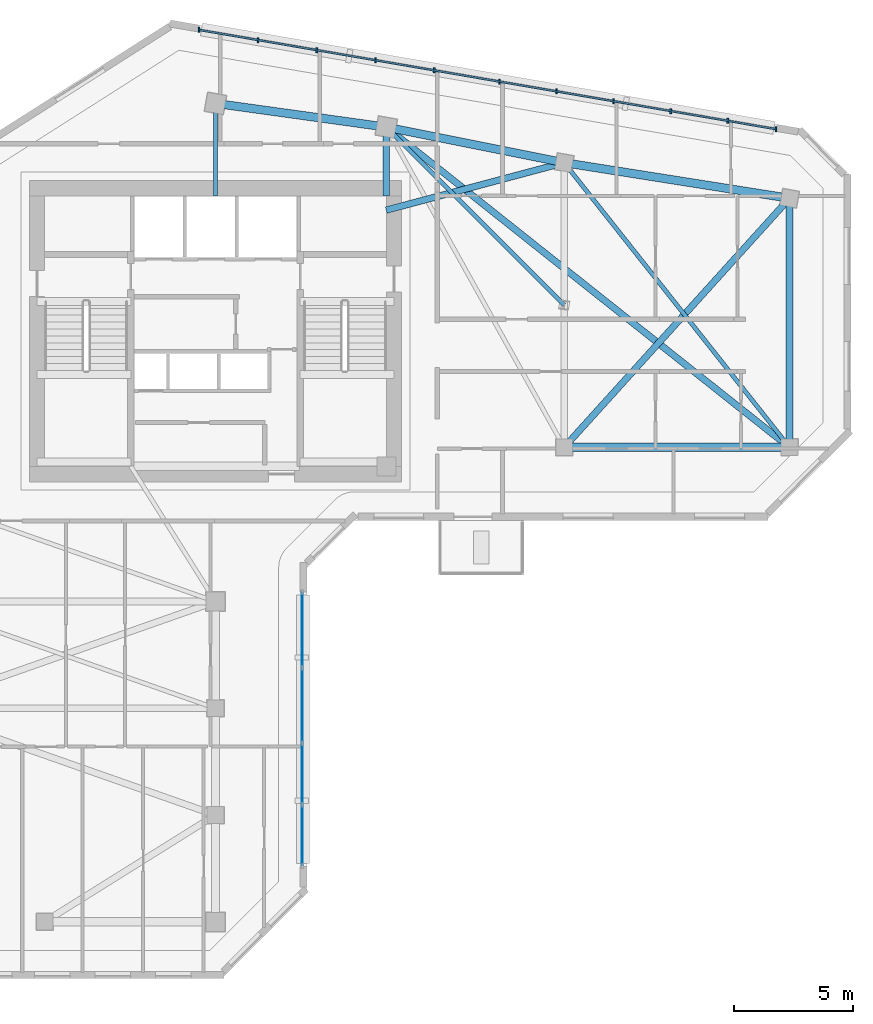
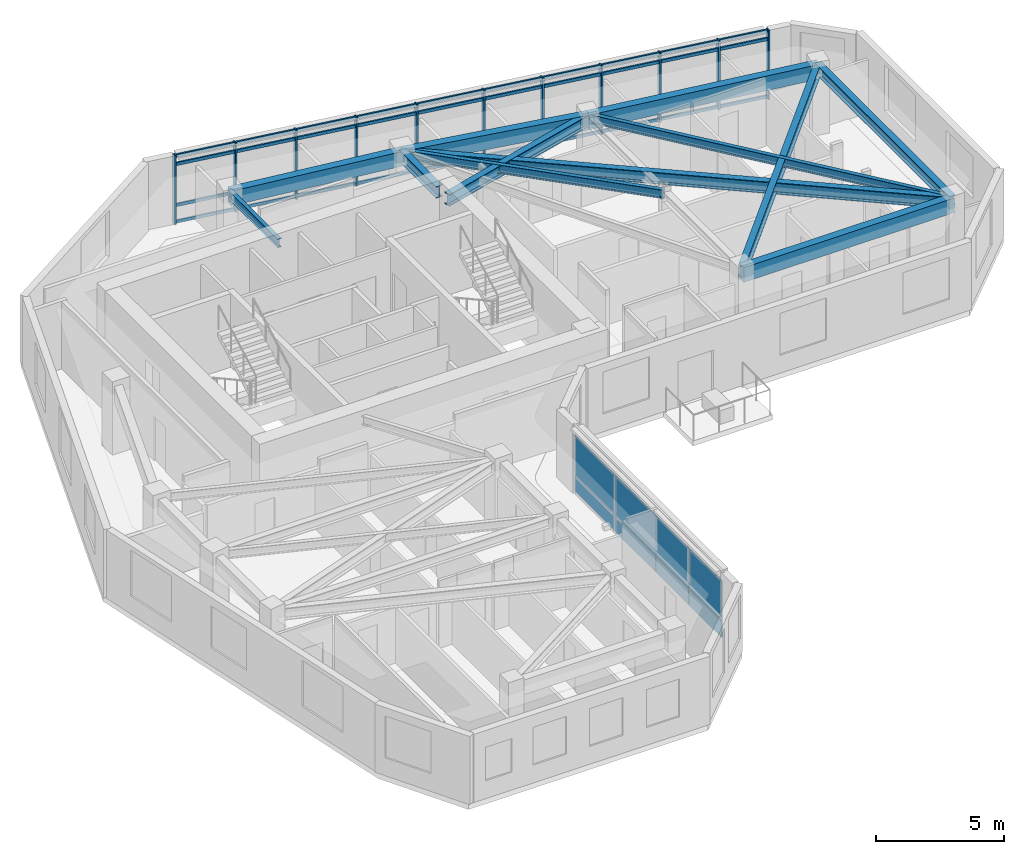
# One storey, part 3 of 11: 15 members, 12 beams, 8 plates, 2 elements without a shape of their own.
"""IFC4 building model written with IfcOpenShell, lengths in metres."""

from ifc_helpers import new_model, si_unit, direction, frame, frame_2d, origin, origin_2d, place, context, subcontext, project, spatial, rectangle, i_section, extrude, source, transform, mapped, material, layer, layer_set, material_profile, profile_set, type_object, element, aggregate, save


model = new_model("IFC4")

# Units and contexts
model_context = context("Model", 3, precision=1e-05, world=origin(), true_north=direction((0.0, 1.0)))
body_context = subcontext(model_context, "Body", "Model", "MODEL_VIEW")
ifc_project = project(units=[si_unit("LENGTHUNIT", "METRE"), si_unit("AREAUNIT", "SQUARE_METRE"), si_unit("VOLUMEUNIT", "CUBIC_METRE"), si_unit("PLANEANGLEUNIT", "RADIAN"), si_unit("MASSUNIT", "GRAM", prefix="KILO")], contexts=[model_context])

# Site, building, storey
site_placement = place(None, origin())
site = spatial("IfcSite", under=ifc_project, at=site_placement, CompositionType="ELEMENT")
building_placement = place(site_placement, origin())
building = spatial("IfcBuilding", under=site, at=building_placement, Name="Calvemar Wedge Station Tower", CompositionType="ELEMENT")
storey_placement = place(building_placement, frame((0.0, 0.0, 183.39990234375)))
storey = spatial("IfcBuildingStorey", under=building, at=storey_placement, Name="L45", CompositionType="ELEMENT", Elevation=183.39990234375)

# Beams
ifc_material_1 = material(Name="Structural steel ASTM A572 Grade 50", Category="steel")
ifc_material_profile_1 = material_profile(ifc_material_1, i_section(OverallWidth=0.279052734375, OverallDepth=0.553955078125, WebThickness=0.017578125, FlangeThickness=0.029541015625, FilletRadius=0.014892578125, at=origin_2d()), Name="W530x196")
ifc_profile_set_1 = profile_set([ifc_material_profile_1], Name="Structural steel ASTM A572 Grade 50")
beam_type_1 = type_object("IfcBeamType", Name="BM-SB3-W530H", PredefinedType="BEAM", material=ifc_profile_set_1)
shared_shape_1 = source(origin(), body_context, "Body", "SweptSolid", [
    extrude(i_section(OverallWidth=0.279052734375, OverallDepth=0.553955078125, WebThickness=0.017578125, FlangeThickness=0.029541015625, FilletRadius=0.014892578125, at=origin_2d()), origin(), (0.0, 0.0, 1.0), 21.708251953125),
])
beam_1_placement = place(storey_placement, frame((31.0, 48.5, 2.97314453125), z_axis=(0.783110847498, -0.621882143602, 0.0), x_axis=(0.621882143602, 0.783110847498, 0.0)))
element("IfcBeam", 1, at=beam_1_placement, inside=storey, type_object=beam_type_1, Name="Storey L45 Floor Beam T-N2-T-NL3", PredefinedType="BEAM", context=body_context, shape_type="MappedRepresentation", body=[
    mapped(shared_shape_1, transform((0.0, 0.0, 0.0), scale=1.0)),
])
ifc_material_profile_2 = material_profile(ifc_material_1, i_section(OverallWidth=0.177978515625, OverallDepth=0.406982421875, WebThickness=0.0078125, FlangeThickness=0.0126953125, FilletRadius=0.010009765625, at=origin_2d()), Name="W410x60")
ifc_profile_set_2 = profile_set([ifc_material_profile_2], Name="Structural steel ASTM A572 Grade 50")
beam_type_2 = type_object("IfcBeamType", Name="BM-J3-W410", PredefinedType="JOIST", material=ifc_profile_set_2)
shared_shape_2 = source(origin(), body_context, "Body", "SweptSolid", [
    extrude(i_section(OverallWidth=0.177978515625, OverallDepth=0.406982421875, WebThickness=0.0078125, FlangeThickness=0.0126953125, FilletRadius=0.010009765625, at=origin_2d()), origin(), (0.0, 0.0, 1.0), 15.30517578125),
])
beam_2_placement = place(storey_placement, frame((38.5, 47.0, 3.046630859375), z_axis=(0.620702944366, -0.784045824462, 0.0), x_axis=(0.784045824462, 0.620702944366, 0.0)))
element("IfcBeam", 2, at=beam_2_placement, inside=storey, type_object=beam_type_2, Name="Storey L45 Floor Beam T-NU3-T-NL3", PredefinedType="JOIST", context=body_context, shape_type="MappedRepresentation", body=[
    mapped(shared_shape_2, transform((0.0, 0.0, 0.0), scale=1.0)),
])
shared_shape_3 = source(origin(), body_context, "Body", "SweptSolid", [
    extrude(i_section(OverallWidth=0.279052734375, OverallDepth=0.553955078125, WebThickness=0.017578125, FlangeThickness=0.029541015625, FilletRadius=0.014892578125, at=origin_2d()), origin(), (0.0, 0.0, 1.0), 14.159912109375),
])
beam_3_placement = place(storey_placement, frame((38.5, 35.0, 2.97314453125), z_axis=(0.670913323969, 0.741535779124, 0.0), x_axis=(-0.741535779124, 0.670913323969, 0.0)))
element("IfcBeam", 3, at=beam_3_placement, inside=storey, type_object=beam_type_1, Name="Storey L45 Floor Beam T-NL2-T-NU4", PredefinedType="BEAM", context=body_context, shape_type="MappedRepresentation", body=[
    mapped(shared_shape_3, transform((0.0, 0.0, 0.0), scale=1.0)),
])
shared_shape_4 = source(origin(), body_context, "Body", "SweptSolid", [
    extrude(i_section(OverallWidth=0.279052734375, OverallDepth=0.553955078125, WebThickness=0.017578125, FlangeThickness=0.029541015625, FilletRadius=0.014892578125, at=origin_2d()), origin(), (0.0, 0.0, 1.0), 7.76220703125),
])
beam_4_placement = place(storey_placement, frame((31.0, 45.0, 2.97314453125), z_axis=(0.966234939601, 0.25766265056, 0.0), x_axis=(-0.25766265056, 0.966234939601, 0.0)))
element("IfcBeam", 4, at=beam_4_placement, inside=storey, type_object=beam_type_1, Name="Storey L45 Core-to-Column Joist CJ-E2", PredefinedType="BEAM", context=body_context, shape_type="MappedRepresentation", body=[
    mapped(shared_shape_4, transform((0.0, 0.0, 0.0), scale=1.0)),
])
shared_shape_5 = source(origin(), body_context, "Body", "SweptSolid", [
    extrude(i_section(OverallWidth=0.177978515625, OverallDepth=0.406982421875, WebThickness=0.0078125, FlangeThickness=0.0126953125, FilletRadius=0.010009765625, at=origin_2d()), origin(), (0.0, 0.0, 1.0), 3.89990234375),
])
beam_5_placement = place(storey_placement, frame((23.800048828125, 45.60009765625, 3.046630859375), z_axis=(0.0, 1.0, 0.0), x_axis=(-1.0, 0.0, 0.0)))
element("IfcBeam", 5, at=beam_5_placement, inside=storey, type_object=beam_type_2, Name="Storey L45 Core-to-Column Joist CJ-N1", PredefinedType="JOIST", context=body_context, shape_type="MappedRepresentation", body=[
    mapped(shared_shape_5, transform((0.0, 0.0, 0.0), scale=1.0)),
])
shared_shape_6 = source(origin(), body_context, "Body", "SweptSolid", [
    extrude(i_section(OverallWidth=0.279052734375, OverallDepth=0.553955078125, WebThickness=0.017578125, FlangeThickness=0.029541015625, FilletRadius=0.014892578125, at=origin_2d()), origin(), (0.0, 0.0, 1.0), 2.89990234375),
])
beam_6_placement = place(storey_placement, frame((31.0, 45.60009765625, 2.97314453125), z_axis=(0.0, 1.0, 0.0), x_axis=(-1.0, 0.0, 0.0)))
element("IfcBeam", 6, at=beam_6_placement, inside=storey, type_object=beam_type_1, Name="Storey L45 Core-to-Column Joist CJ-N2", PredefinedType="BEAM", context=body_context, shape_type="MappedRepresentation", body=[
    mapped(shared_shape_6, transform((0.0, 0.0, 0.0), scale=1.0)),
])
shared_shape_7 = source(origin(), body_context, "Body", "SweptSolid", [
    extrude(i_section(OverallWidth=0.177978515625, OverallDepth=0.406982421875, WebThickness=0.0078125, FlangeThickness=0.0126953125, FilletRadius=0.010009765625, at=origin_2d()), origin(), (0.0, 0.0, 1.0), 10.606689453125),
])
beam_7_placement = place(storey_placement, frame((38.5, 41.0, 3.046630859375), z_axis=(-0.707106781187, 0.707106781187, 0.0), x_axis=(-0.707106781187, -0.707106781187, 0.0)))
element("IfcBeam", 7, at=beam_7_placement, inside=storey, type_object=beam_type_2, Name="Storey L45 Floor Beam T-NTIP-B-T-N2", PredefinedType="JOIST", context=body_context, shape_type="MappedRepresentation", body=[
    mapped(shared_shape_7, transform((0.0, 0.0, 0.0), scale=1.0)),
])
ifc_material_2 = material(Name="Concrete C50", Category="concrete")
ifc_material_profile_3 = material_profile(ifc_material_2, rectangle(XDim=0.35009765625, YDim=0.699951171875, at=origin_2d()), Name="RC350x700")
ifc_profile_set_3 = profile_set([ifc_material_profile_3], Name="Concrete C50")
beam_type_3 = type_object("IfcBeamType", Name="BM-SP2-700", PredefinedType="SPANDREL", material=ifc_profile_set_3)
shared_shape_8 = source(origin(), body_context, "Body", "SweptSolid", [
    extrude(rectangle(XDim=0.35009765625, YDim=0.699951171875, at=origin_2d()), origin(), (0.0, 0.0, 1.0), 7.26904296875),
])
beam_8_placement = place(storey_placement, frame((23.800048828125, 49.5, 2.900146484375), z_axis=(0.990492146053, -0.13756928657, 0.0), x_axis=(0.13756928657, 0.990492146053, 0.0)))
element("IfcBeam", 8, at=beam_8_placement, inside=storey, type_object=beam_type_3, Name="Storey L45 Spandrel T-N1-T-N2", PredefinedType="SPANDREL", context=body_context, shape_type="MappedRepresentation", body=[
    mapped(shared_shape_8, transform((0.0, 0.0, 0.0), scale=1.0)),
])
shared_shape_9 = source(origin(), body_context, "Body", "SweptSolid", [
    extrude(rectangle(XDim=0.35009765625, YDim=0.699951171875, at=origin_2d()), origin(), (0.0, 0.0, 1.0), 7.6484375),
])
beam_9_placement = place(storey_placement, frame((31.0, 48.5, 2.900146484375), z_axis=(0.980580675691, -0.196116135138, 0.0), x_axis=(0.196116135138, 0.980580675691, 0.0)))
element("IfcBeam", 9, at=beam_9_placement, inside=storey, type_object=beam_type_3, Name="Storey L45 Spandrel T-N2-T-NU3", PredefinedType="SPANDREL", context=body_context, shape_type="MappedRepresentation", body=[
    mapped(shared_shape_9, transform((0.0, 0.0, 0.0), scale=1.0)),
])
shared_shape_10 = source(origin(), body_context, "Body", "SweptSolid", [
    extrude(rectangle(XDim=0.35009765625, YDim=0.699951171875, at=origin_2d()), origin(), (0.0, 0.0, 1.0), 9.61767578125),
])
beam_10_placement = place(storey_placement, frame((38.5, 47.0, 2.900146484375), z_axis=(0.987762965329, -0.155962573473, 0.0), x_axis=(0.155962573473, 0.987762965329, 0.0)))
element("IfcBeam", 10, at=beam_10_placement, inside=storey, type_object=beam_type_3, Name="Storey L45 Spandrel T-NU3-T-NU4", PredefinedType="SPANDREL", context=body_context, shape_type="MappedRepresentation", body=[
    mapped(shared_shape_10, transform((0.0, 0.0, 0.0), scale=1.0)),
])
shared_shape_11 = source(origin(), body_context, "Body", "SweptSolid", [
    extrude(rectangle(XDim=0.35009765625, YDim=0.699951171875, at=origin_2d()), origin(), (0.0, 0.0, 1.0), 9.5),
])
beam_11_placement = place(storey_placement, frame((38.5, 35.0, 2.900146484375), z_axis=(1.0, 0.0, 0.0), x_axis=(0.0, 1.0, 0.0)))
element("IfcBeam", 11, at=beam_11_placement, inside=storey, type_object=beam_type_3, Name="Storey L45 Spandrel T-NL2-T-NL3", PredefinedType="SPANDREL", context=body_context, shape_type="MappedRepresentation", body=[
    mapped(shared_shape_11, transform((0.0, 0.0, 0.0), scale=1.0)),
])
ifc_material_profile_4 = material_profile(ifc_material_1, i_section(OverallWidth=0.283935546875, OverallDepth=0.47607421875, WebThickness=0.014892578125, FlangeThickness=0.02392578125, FilletRadius=0.014892578125, at=origin_2d()), Name="W460x158")
ifc_profile_set_4 = profile_set([ifc_material_profile_4], Name="Structural steel ASTM A572 Grade 50")
beam_type_4 = type_object("IfcBeamType", Name="BM-SB5-W460H", PredefinedType="BEAM", material=ifc_profile_set_4)
shared_shape_12 = source(origin(), body_context, "Body", "SweptSolid", [
    extrude(i_section(OverallWidth=0.283935546875, OverallDepth=0.47607421875, WebThickness=0.014892578125, FlangeThickness=0.02392578125, FilletRadius=0.014892578125, at=origin_2d()), origin(), (0.0, 0.0, 1.0), 10.5),
])
beam_12_placement = place(storey_placement, frame((48.0, 45.5, 3.01220703125), z_axis=(0.0, -1.0, 0.0), x_axis=(1.0, 0.0, 0.0)))
element("IfcBeam", 12, at=beam_12_placement, inside=storey, type_object=beam_type_4, Name="Storey L45 Floor Beam T-NU4-T-NL3", PredefinedType="BEAM", context=body_context, shape_type="MappedRepresentation", body=[
    mapped(shared_shape_12, transform((0.0, 0.0, 0.0), scale=1.0)),
])

# Curtain wall, members
ifc_material_3 = material(Name="Anodised aluminium 6063-T6", Category="aluminium")
curtain_wall_type = type_object("IfcCurtainWallType", Name="CW3", PredefinedType="NOTDEFINED", material=ifc_material_3)
curtain_wall_1_placement = place(storey_placement, origin())
curtain_wall_1 = element("IfcCurtainWall", 13, at=curtain_wall_1_placement, inside=storey, type_object=curtain_wall_type, Name="Storey L45 CW3 Recessed Unitised Curtain Wall 10", PredefinedType="NOTDEFINED")
ifc_material_profile_5 = material_profile(ifc_material_3, rectangle(XDim=0.074951171875, YDim=0.2099609375, at=origin_2d()), Name="AL-MUL-75x210")
ifc_profile_set_5 = profile_set([ifc_material_profile_5], Name="Anodised aluminium 6063-T6")
member_type_1 = type_object("IfcMemberType", Name="CW3-MUL", PredefinedType="MULLION", material=ifc_profile_set_5)
shared_shape_13 = source(origin(), body_context, "Body", "SweptSolid", [
    extrude(rectangle(XDim=0.074951171875, YDim=0.2099609375, at=origin_2d()), origin(), (0.0, 0.0, 1.0), 3.2998046875),
])
member_1_placement = place(storey_placement, frame((47.433349609375, 48.41162109375, -0.0498046875), z_axis=(0.0, 0.0, 1.0), x_axis=(1.0, 0.0, 0.0)))
member_1 = element("IfcMember", 14, at=member_1_placement, type_object=member_type_1, Name="CW3 mullion 1", PredefinedType="MULLION", context=body_context, shape_type="MappedRepresentation", body=[
    mapped(shared_shape_13, transform((0.0, 0.0, 0.0), scale=1.0)),
])
member_2_placement = place(storey_placement, frame((45.394287109375, 48.762451171875, -0.0498046875), z_axis=(0.0, 0.0, 1.0), x_axis=(1.0, 0.0, 0.0)))
member_2 = element("IfcMember", 15, at=member_2_placement, type_object=member_type_1, Name="CW3 mullion 2", PredefinedType="MULLION", context=body_context, shape_type="MappedRepresentation", body=[
    mapped(shared_shape_13, transform((0.0, 0.0, 0.0), scale=1.0)),
])
member_3_placement = place(storey_placement, frame((42.98876953125, 49.17626953125, -0.0498046875), z_axis=(0.0, 0.0, 1.0), x_axis=(1.0, 0.0, 0.0)))
member_3 = element("IfcMember", 16, at=member_3_placement, type_object=member_type_1, Name="CW3 mullion 3", PredefinedType="MULLION", context=body_context, shape_type="MappedRepresentation", body=[
    mapped(shared_shape_13, transform((0.0, 0.0, 0.0), scale=1.0)),
])
member_4_placement = place(storey_placement, frame((40.583251953125, 49.590087890625, -0.0498046875), z_axis=(0.0, 0.0, 1.0), x_axis=(1.0, 0.0, 0.0)))
member_4 = element("IfcMember", 17, at=member_4_placement, type_object=member_type_1, Name="CW3 mullion 4", PredefinedType="MULLION", context=body_context, shape_type="MappedRepresentation", body=[
    mapped(shared_shape_13, transform((0.0, 0.0, 0.0), scale=1.0)),
])
member_5_placement = place(storey_placement, frame((38.177490234375, 50.00390625, -0.0498046875), z_axis=(0.0, 0.0, 1.0), x_axis=(1.0, 0.0, 0.0)))
member_5 = element("IfcMember", 18, at=member_5_placement, type_object=member_type_1, Name="CW3 mullion 5", PredefinedType="MULLION", context=body_context, shape_type="MappedRepresentation", body=[
    mapped(shared_shape_13, transform((0.0, 0.0, 0.0), scale=1.0)),
])
member_6_placement = place(storey_placement, frame((35.771240234375, 50.417724609375, -0.0498046875), z_axis=(0.0, 0.0, 1.0), x_axis=(1.0, 0.0, 0.0)))
member_6 = element("IfcMember", 19, at=member_6_placement, type_object=member_type_1, Name="CW3 mullion 6", PredefinedType="MULLION", context=body_context, shape_type="MappedRepresentation", body=[
    mapped(shared_shape_13, transform((0.0, 0.0, 0.0), scale=1.0)),
])
member_7_placement = place(storey_placement, frame((33.021240234375, 50.890869140625, -0.0498046875), z_axis=(0.0, 0.0, 1.0), x_axis=(1.0, 0.0, 0.0)))
member_7 = element("IfcMember", 20, at=member_7_placement, type_object=member_type_1, Name="CW3 mullion 7", PredefinedType="MULLION", context=body_context, shape_type="MappedRepresentation", body=[
    mapped(shared_shape_13, transform((0.0, 0.0, 0.0), scale=1.0)),
])
member_8_placement = place(storey_placement, frame((30.54638671875, 51.316650390625, -0.0498046875), z_axis=(0.0, 0.0, 1.0), x_axis=(1.0, 0.0, 0.0)))
member_8 = element("IfcMember", 21, at=member_8_placement, type_object=member_type_1, Name="CW3 mullion 8", PredefinedType="MULLION", context=body_context, shape_type="MappedRepresentation", body=[
    mapped(shared_shape_13, transform((0.0, 0.0, 0.0), scale=1.0)),
])
member_9_placement = place(storey_placement, frame((28.0712890625, 51.742431640625, -0.0498046875), z_axis=(0.0, 0.0, 1.0), x_axis=(1.0, 0.0, 0.0)))
member_9 = element("IfcMember", 22, at=member_9_placement, type_object=member_type_1, Name="CW3 mullion 9", PredefinedType="MULLION", context=body_context, shape_type="MappedRepresentation", body=[
    mapped(shared_shape_13, transform((0.0, 0.0, 0.0), scale=1.0)),
])
member_10_placement = place(storey_placement, frame((25.58837890625, 52.169677734375, -0.0498046875), z_axis=(0.0, 0.0, 1.0), x_axis=(1.0, 0.0, 0.0)))
member_10 = element("IfcMember", 23, at=member_10_placement, type_object=member_type_1, Name="CW3 mullion 10", PredefinedType="MULLION", context=body_context, shape_type="MappedRepresentation", body=[
    mapped(shared_shape_13, transform((0.0, 0.0, 0.0), scale=1.0)),
])
member_11_placement = place(storey_placement, frame((23.105712890625, 52.5966796875, -0.0498046875), z_axis=(0.0, 0.0, 1.0), x_axis=(1.0, 0.0, 0.0)))
member_11 = element("IfcMember", 24, at=member_11_placement, type_object=member_type_1, Name="CW3 mullion 11", PredefinedType="MULLION", context=body_context, shape_type="MappedRepresentation", body=[
    mapped(shared_shape_13, transform((0.0, 0.0, 0.0), scale=1.0)),
])
ifc_material_profile_6 = material_profile(ifc_material_3, rectangle(XDim=0.074951171875, YDim=0.14501953125, at=origin_2d()), Name="AL-TRN-75x145")
ifc_profile_set_6 = profile_set([ifc_material_profile_6], Name="Anodised aluminium 6063-T6")
member_type_2 = type_object("IfcMemberType", Name="CW3-TRN", PredefinedType="USERDEFINED", material=ifc_profile_set_6)
shared_shape_14 = source(origin(), body_context, "Body", "SweptSolid", [
    extrude(rectangle(XDim=0.074951171875, YDim=0.14501953125, at=origin_2d()), origin(), (0.0, 0.0, 1.0), 24.68505859375),
])
member_12_placement = place(storey_placement, frame((47.433349609375, 48.41162109375, 0.06005859375), z_axis=(-0.985523545507, 0.16953861286, 0.0), x_axis=(-0.16953861286, -0.985523545507, 0.0)))
member_12 = element("IfcMember", 25, at=member_12_placement, type_object=member_type_2, Name="CW3 transom 1", ObjectType="TRANSOM", PredefinedType="USERDEFINED", context=body_context, shape_type="MappedRepresentation", body=[
    mapped(shared_shape_14, transform((0.0, 0.0, 0.0), scale=1.0)),
])
member_13_placement = place(storey_placement, frame((47.433349609375, 48.41162109375, 0.85009765625), z_axis=(-0.985523545507, 0.16953861286, 0.0), x_axis=(-0.16953861286, -0.985523545507, 0.0)))
member_13 = element("IfcMember", 26, at=member_13_placement, type_object=member_type_2, Name="CW3 transom 2", ObjectType="TRANSOM", PredefinedType="USERDEFINED", context=body_context, shape_type="MappedRepresentation", body=[
    mapped(shared_shape_14, transform((0.0, 0.0, 0.0), scale=1.0)),
])
member_14_placement = place(storey_placement, frame((47.433349609375, 48.41162109375, 2.800048828125), z_axis=(-0.985523545507, 0.16953861286, 0.0), x_axis=(-0.16953861286, -0.985523545507, 0.0)))
member_14 = element("IfcMember", 27, at=member_14_placement, type_object=member_type_2, Name="CW3 transom 3", ObjectType="TRANSOM", PredefinedType="USERDEFINED", context=body_context, shape_type="MappedRepresentation", body=[
    mapped(shared_shape_14, transform((0.0, 0.0, 0.0), scale=1.0)),
])
member_15_placement = place(storey_placement, frame((47.433349609375, 48.41162109375, 3.190185546875), z_axis=(-0.985523545507, 0.16953861286, 0.0), x_axis=(-0.16953861286, -0.985523545507, 0.0)))
member_15 = element("IfcMember", 28, at=member_15_placement, type_object=member_type_2, Name="CW3 transom 4", ObjectType="TRANSOM", PredefinedType="USERDEFINED", context=body_context, shape_type="MappedRepresentation", body=[
    mapped(shared_shape_14, transform((0.0, 0.0, 0.0), scale=1.0)),
])
aggregate(curtain_wall_1, [member_1, member_2, member_3, member_4, member_5, member_6, member_7, member_8, member_9, member_10, member_11, member_12, member_13, member_14, member_15])

# Curtain wall, plates
curtain_wall_2_placement = place(storey_placement, origin())
curtain_wall_2 = element("IfcCurtainWall", 29, at=curtain_wall_2_placement, inside=storey, type_object=curtain_wall_type, Name="Storey L45 CW3 Recessed Unitised Curtain Wall 4", PredefinedType="NOTDEFINED")
ifc_material_4 = material(Name="Low-E laminated insulated glass", Category="glass")
ifc_layer_1 = layer(ifc_material_4, 0.028076171875)
ifc_layer_set_1 = layer_set([ifc_layer_1], Name="Low-E laminated insulated glass")
plate_type_1 = type_object("IfcPlateType", Name="CW3-GLZ", PredefinedType="CURTAIN_PANEL", material=ifc_layer_set_1)
plate_1_placement = place(storey_placement, frame((27.4541015625, 17.380126953125, 0.8701171875), z_axis=(0.0, 0.0, 1.0), x_axis=(0.0, 1.0, 0.0)))
plate_1 = element("IfcPlate", 30, at=plate_1_placement, type_object=plate_type_1, Name="CW3 vision glass panel 1", PredefinedType="CURTAIN_PANEL", context=body_context, shape_type="SweptSolid", body=[
    extrude(rectangle(XDim=2.54443359375, YDim=0.028076171875, at=frame_2d((1.272216796875, 0.0))), origin(), (0.0, 0.0, 1.0), 1.909912109375),
])
plate_2_placement = place(storey_placement, frame((27.4541015625, 19.96044921875, 0.8701171875), z_axis=(0.0, 0.0, 1.0), x_axis=(0.0, 1.0, 0.0)))
plate_2 = element("IfcPlate", 31, at=plate_2_placement, type_object=plate_type_1, Name="CW3 vision glass panel 2", PredefinedType="CURTAIN_PANEL", context=body_context, shape_type="SweptSolid", body=[
    extrude(rectangle(XDim=2.54443359375, YDim=0.028076171875, at=frame_2d((1.272216796875, 0.0))), origin(), (0.0, 0.0, 1.0), 1.909912109375),
])
plate_3_placement = place(storey_placement, frame((27.4541015625, 22.541015625, 0.8701171875), z_axis=(0.0, 0.0, 1.0), x_axis=(0.0, 1.0, 0.0)))
plate_3 = element("IfcPlate", 32, at=plate_3_placement, type_object=plate_type_1, Name="CW3 vision glass panel 3", PredefinedType="CURTAIN_PANEL", context=body_context, shape_type="SweptSolid", body=[
    extrude(rectangle(XDim=3.1455078125, YDim=0.028076171875, at=frame_2d((1.57275390625, 0.0))), origin(), (0.0, 0.0, 1.0), 1.909912109375),
])
plate_4_placement = place(storey_placement, frame((27.4541015625, 25.722412109375, 0.8701171875), z_axis=(0.0, 0.0, 1.0), x_axis=(0.0, 1.0, 0.0)))
plate_4 = element("IfcPlate", 33, at=plate_4_placement, type_object=plate_type_1, Name="CW3 vision glass panel 4", PredefinedType="CURTAIN_PANEL", context=body_context, shape_type="SweptSolid", body=[
    extrude(rectangle(XDim=3.145751953125, YDim=0.028076171875, at=frame_2d((1.57275390625, 0.0))), origin(), (0.0, 0.0, 1.0), 1.909912109375),
])
ifc_material_5 = material(Name="Oxidized bronze aluminium spandrel panel 5005-H24", Category="aluminium")
ifc_layer_2 = layer(ifc_material_5, 0.0400390625)
ifc_layer_set_2 = layer_set([ifc_layer_2], Name="Oxidized bronze aluminium spandrel panel 5005-H24")
plate_type_2 = type_object("IfcPlateType", Name="CW3-SPD", PredefinedType="SHEET", material=ifc_layer_set_2)
plate_5_placement = place(storey_placement, frame((27.4541015625, 17.380126953125, 0.080078125), z_axis=(0.0, 0.0, 1.0), x_axis=(0.0, 1.0, 0.0)))
plate_5 = element("IfcPlate", 34, at=plate_5_placement, type_object=plate_type_2, Name="CW3 bronze spandrel panel 1", PredefinedType="SHEET", context=body_context, shape_type="SweptSolid", body=[
    extrude(rectangle(XDim=2.54443359375, YDim=0.0400390625, at=frame_2d((1.272216796875, 0.0))), origin(), (0.0, 0.0, 1.0), 0.75),
])
plate_6_placement = place(storey_placement, frame((27.4541015625, 19.96044921875, 0.080078125), z_axis=(0.0, 0.0, 1.0), x_axis=(0.0, 1.0, 0.0)))
plate_6 = element("IfcPlate", 35, at=plate_6_placement, type_object=plate_type_2, Name="CW3 bronze spandrel panel 2", PredefinedType="SHEET", context=body_context, shape_type="SweptSolid", body=[
    extrude(rectangle(XDim=2.54443359375, YDim=0.0400390625, at=frame_2d((1.272216796875, 0.0))), origin(), (0.0, 0.0, 1.0), 0.75),
])
plate_7_placement = place(storey_placement, frame((27.4541015625, 22.541015625, 0.080078125), z_axis=(0.0, 0.0, 1.0), x_axis=(0.0, 1.0, 0.0)))
plate_7 = element("IfcPlate", 36, at=plate_7_placement, type_object=plate_type_2, Name="CW3 bronze spandrel panel 3", PredefinedType="SHEET", context=body_context, shape_type="SweptSolid", body=[
    extrude(rectangle(XDim=3.1455078125, YDim=0.0400390625, at=frame_2d((1.57275390625, 0.0))), origin(), (0.0, 0.0, 1.0), 0.75),
])
plate_8_placement = place(storey_placement, frame((27.4541015625, 25.722412109375, 0.080078125), z_axis=(0.0, 0.0, 1.0), x_axis=(0.0, 1.0, 0.0)))
plate_8 = element("IfcPlate", 37, at=plate_8_placement, type_object=plate_type_2, Name="CW3 bronze spandrel panel 4", PredefinedType="SHEET", context=body_context, shape_type="SweptSolid", body=[
    extrude(rectangle(XDim=3.145751953125, YDim=0.0400390625, at=frame_2d((1.57275390625, 0.0))), origin(), (0.0, 0.0, 1.0), 0.75),
])
aggregate(curtain_wall_2, [plate_5, plate_1, plate_6, plate_2, plate_7, plate_3, plate_8, plate_4])

save(model, "model.ifc")
